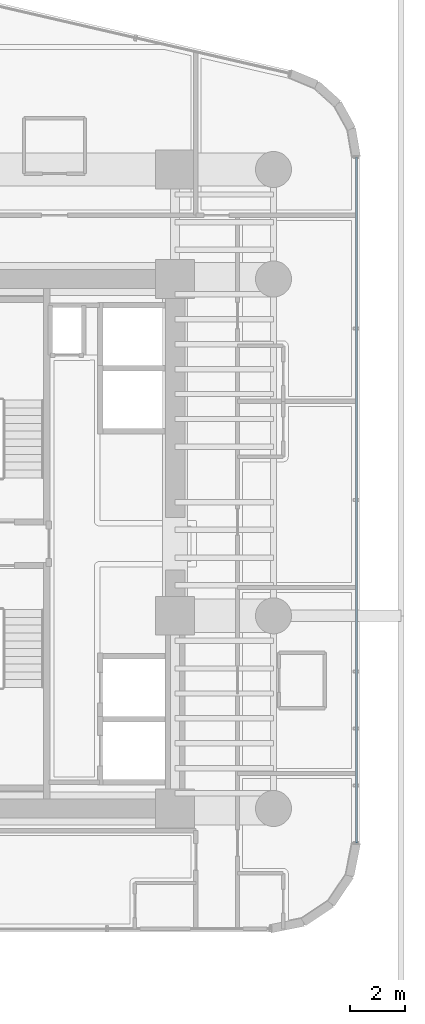
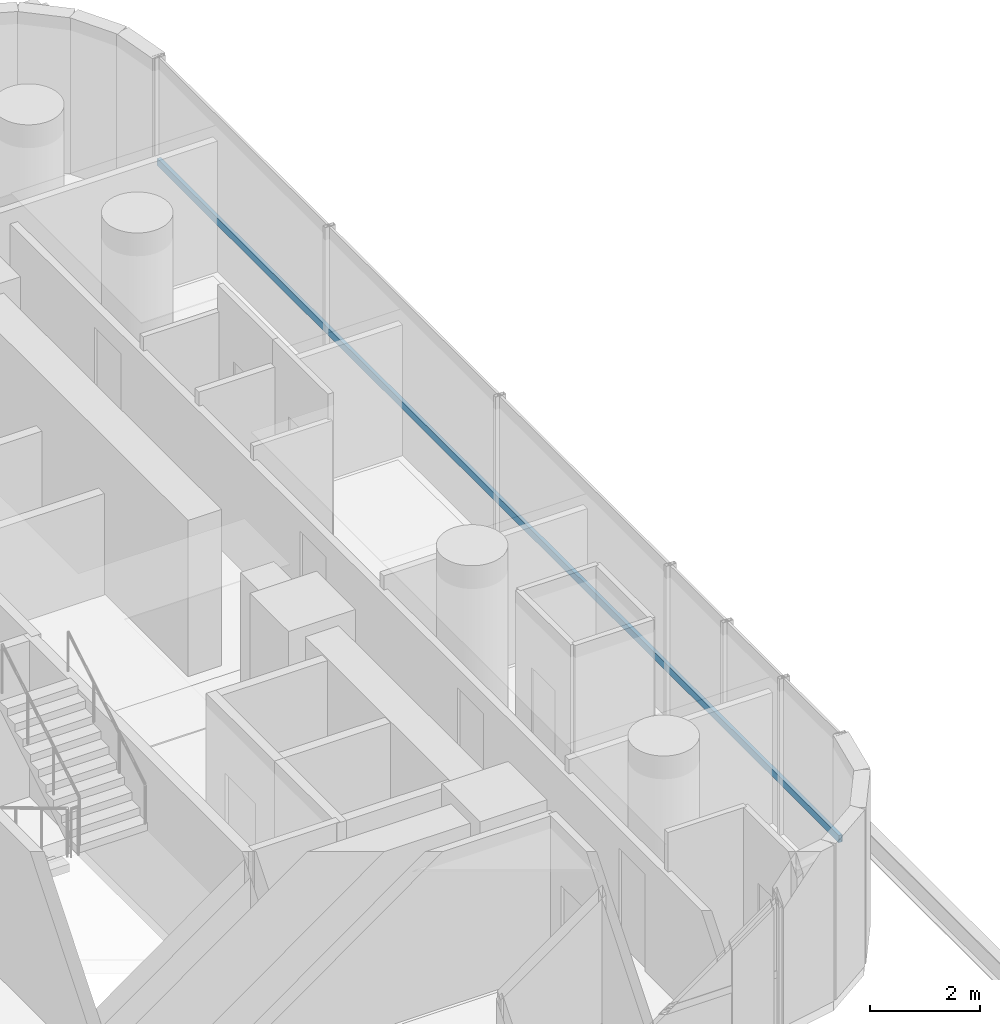
# One storey, part 32 of 50: 1 member, 1 element without a shape of its own.
"""IFC4 building model written with IfcOpenShell, lengths in metres."""

from ifc_helpers import new_model, si_unit, direction, frame, origin, origin_2d, place, context, subcontext, project, spatial, hollow_rectangle, extrude, source, transform, mapped, material, material_profile, profile_set, type_object, element, aggregate, save


model = new_model("IFC4")

# Units and contexts
model_context = context("Model", 3, precision=1e-05, world=origin(), true_north=direction((0.0, 1.0)))
body_context = subcontext(model_context, "Body", "Model", "MODEL_VIEW")
ifc_project = project(units=[si_unit("LENGTHUNIT", "METRE"), si_unit("AREAUNIT", "SQUARE_METRE"), si_unit("VOLUMEUNIT", "CUBIC_METRE"), si_unit("PLANEANGLEUNIT", "RADIAN"), si_unit("MASSUNIT", "GRAM", prefix="KILO")], contexts=[model_context])

# Site, building, storey
site_placement = place(None, origin())
site = spatial("IfcSite", under=ifc_project, at=site_placement, CompositionType="ELEMENT")
building_placement = place(site_placement, origin())
building = spatial("IfcBuilding", under=site, at=building_placement, Name="Valdorenza Pilgrim Sanctuary Tower", CompositionType="ELEMENT")
storey_placement = place(building_placement, frame((0.0, 0.0, 26.0)))
storey = spatial("IfcBuildingStorey", under=building, at=storey_placement, Name="L05", CompositionType="ELEMENT", Elevation=26.0)

# Curtain wall, member
ifc_material_1 = material(Name="Curtain-wall IGU glazing", Category="glass")
curtain_wall_type = type_object("IfcCurtainWallType", Name="CW-SYS-03", PredefinedType="NOTDEFINED", material=ifc_material_1)
curtain_wall_placement = place(storey_placement, origin())
curtain_wall = element("IfcCurtainWall", 1, at=curtain_wall_placement, inside=storey, type_object=curtain_wall_type, Name="L05 Curtain Wall CW-L05-1-21", PredefinedType="NOTDEFINED")
ifc_material_2 = material(Name="Anodised aluminium AW-6060", Category="aluminium")
ifc_material_profile = material_profile(ifc_material_2, hollow_rectangle(XDim=0.074951171875, YDim=0.159912109375, WallThickness=0.00390625, at=origin_2d()), Name="ALU-T 160x75x4")
ifc_profile_set = profile_set([ifc_material_profile], Name="Anodised aluminium AW-6060")
member_type = type_object("IfcMemberType", Name="CW-TRN-03", PredefinedType="USERDEFINED", material=ifc_profile_set)
shared_shape = source(origin(), body_context, "Body", "SweptSolid", [
    extrude(hollow_rectangle(XDim=0.074951171875, YDim=0.159912109375, WallThickness=0.00390625, at=origin_2d()), origin(), (0.0, 0.0, 1.0), 24.734375),
])
member_placement = place(storey_placement, frame((31.389892578125, 13.945068359375, 1.1201171875), z_axis=(0.0, -1.0, 0.0), x_axis=(1.0, 0.0, 0.0)))
member = element("IfcMember", 2, at=member_placement, type_object=member_type, Name="CW-L05-1-21 Transom 1", ObjectType="TRANSOM", PredefinedType="USERDEFINED", context=body_context, shape_type="MappedRepresentation", body=[
    mapped(shared_shape, transform((0.0, 0.0, 0.0), x_axis=(1.0, 0.0, 0.0), y_axis=(0.0, 1.0, 0.0), z_axis=(0.0, 0.0, 1.0), scale=1.0)),
])
aggregate(curtain_wall, [member])

save(model, "model.ifc")
